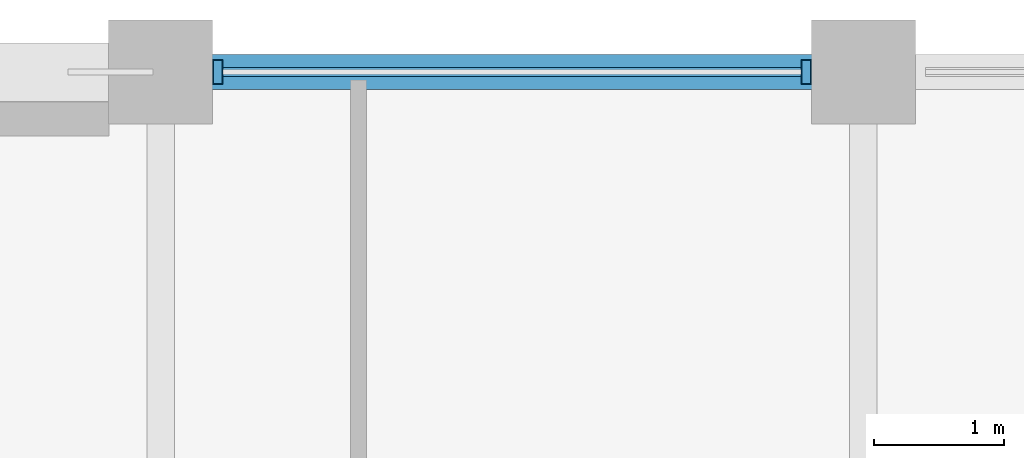
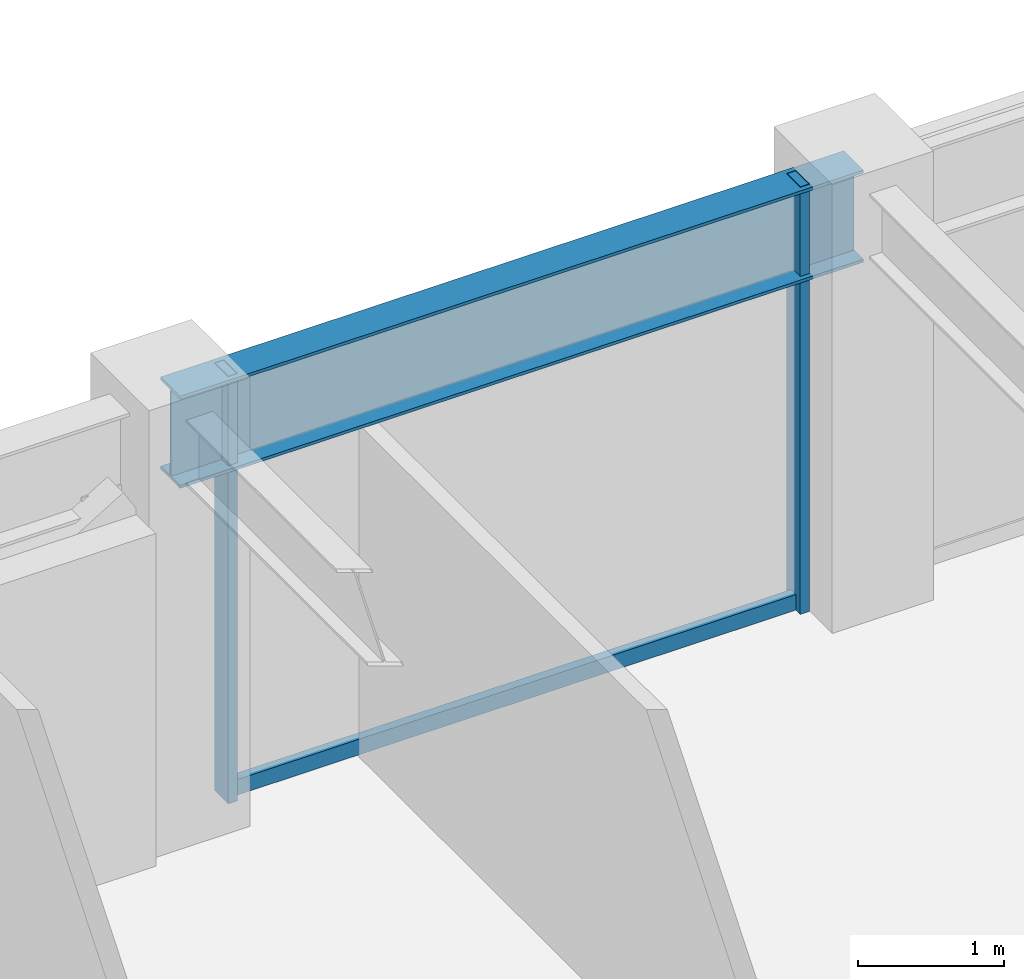
# One storey, part 23 of 32: 3 members, 1 beam, 1 element without a shape of its own.
"""IFC4 building model written with IfcOpenShell, lengths in metres."""

from ifc_helpers import new_model, si_unit, direction, frame, origin, origin_2d, place, context, subcontext, project, spatial, hollow_rectangle, i_section, extrude, material, layer, layer_set, material_profile, profile_set, type_object, element, aggregate, save


model = new_model("IFC4")

# Units and contexts
model_context = context("Model", 3, precision=1e-05, world=origin(), true_north=direction((0.0, 1.0)))
body_context = subcontext(model_context, "Body", "Model", "MODEL_VIEW")
ifc_project = project(units=[si_unit("LENGTHUNIT", "METRE"), si_unit("AREAUNIT", "SQUARE_METRE"), si_unit("VOLUMEUNIT", "CUBIC_METRE"), si_unit("PLANEANGLEUNIT", "RADIAN"), si_unit("MASSUNIT", "GRAM", prefix="KILO")], contexts=[model_context])

# Site, building, storey
site_placement = place(None, origin())
site = spatial("IfcSite", under=ifc_project, at=site_placement, CompositionType="ELEMENT")
building_placement = place(site_placement, origin())
building = spatial("IfcBuilding", under=site, at=building_placement, Name="Surkhivell Harbour Commons", CompositionType="ELEMENT")
storey_placement = place(building_placement, frame((0.0, 0.0, 219.75)))
storey = spatial("IfcBuildingStorey", under=building, at=storey_placement, Name="L57", CompositionType="ELEMENT", Elevation=219.75)

# Beam
ifc_material_1 = material(Name="Steel S355", Category="steel")
ifc_material_profile_1 = material_profile(ifc_material_1, i_section(OverallWidth=0.26806640625, OverallDepth=0.77001953125, WebThickness=0.015625, FlangeThickness=0.025390625, at=origin_2d()), Name="UB762x267x197")
ifc_profile_set_1 = profile_set([ifc_material_profile_1], Name="Steel S355")
beam_type = type_object("IfcBeamType", Name="BM-SPN-762", PredefinedType="SPANDREL", material=ifc_profile_set_1)
beam_placement = place(storey_placement, frame((5.39990234375, 25.89990234375, 3.18505859375), z_axis=(1.0, 0.0, 0.0), x_axis=(0.0, 1.0, 0.0)))
element("IfcBeam", 1, at=beam_placement, inside=storey, type_object=beam_type, Name="L57 Tube Spandrel (5.4,25.9)", PredefinedType="SPANDREL", context=body_context, shape_type="SweptSolid", body=[
    extrude(i_section(OverallWidth=0.26806640625, OverallDepth=0.77001953125, WebThickness=0.015625, FlangeThickness=0.025390625, at=origin_2d()), origin(), (0.0, 0.0, 1.0), 5.400146484375),
])

# Curtain wall, members
ifc_material_2 = material(Name="Anodised pale-metal aluminium and insulated glazing", Category="aluminium")
ifc_layer = layer(ifc_material_2, 0.18994140625)
ifc_layer_set = layer_set([ifc_layer], Name="Anodised pale-metal aluminium and insulated glazing")
curtain_wall_type = type_object("IfcCurtainWallType", Name="CW-SYS-Z3", PredefinedType="NOTDEFINED", material=ifc_layer_set)
curtain_wall_placement = place(storey_placement, origin())
curtain_wall = element("IfcCurtainWall", 2, at=curtain_wall_placement, inside=storey, type_object=curtain_wall_type, Name="L57 Curtain Wall CW-L57-E07S1", PredefinedType="NOTDEFINED")
ifc_material_3 = material(Name="Anodised pale-metal aluminium alloy 6063-T6", Category="aluminium")
ifc_material_profile_2 = material_profile(ifc_material_3, hollow_rectangle(XDim=0.074951171875, YDim=0.18994140625, WallThickness=0.00390625, at=origin_2d()), Name="ALU-MULL-75x190")
ifc_profile_set_2 = profile_set([ifc_material_profile_2], Name="Anodised pale-metal aluminium alloy 6063-T6")
member_type_1 = type_object("IfcMemberType", Name="CWM-190", PredefinedType="MULLION", material=ifc_profile_set_2)
member_1_placement = place(storey_placement, frame((10.360595703125, 25.89990234375, 0.0), z_axis=(0.0, 0.0, 1.0), x_axis=(-1.0, 0.0, 0.0)))
member_1 = element("IfcMember", 3, at=member_1_placement, type_object=member_type_1, Name="CW-Z3 mullion 2", PredefinedType="MULLION", context=body_context, shape_type="SweptSolid", body=[
    extrude(hollow_rectangle(XDim=0.074951171875, YDim=0.18994140625, WallThickness=0.00390625, at=origin_2d()), origin(), (0.0, 0.0, 1.0), 3.570068359375),
])
member_2_placement = place(storey_placement, frame((5.839599609375, 25.89990234375, 0.0), z_axis=(0.0, 0.0, 1.0), x_axis=(-1.0, 0.0, 0.0)))
member_2 = element("IfcMember", 4, at=member_2_placement, type_object=member_type_1, Name="CW-Z3 mullion 3", PredefinedType="MULLION", context=body_context, shape_type="SweptSolid", body=[
    extrude(hollow_rectangle(XDim=0.074951171875, YDim=0.18994140625, WallThickness=0.00390625, at=origin_2d()), origin(), (0.0, 0.0, 1.0), 3.570068359375),
])
ifc_material_4 = material(Name="Champagne anodised aluminium alloy 6063-T6", Category="aluminium")
ifc_material_profile_3 = material_profile(ifc_material_4, hollow_rectangle(XDim=0.070068359375, YDim=0.1298828125, WallThickness=0.00341796875, at=origin_2d()), Name="ALU-TRAN-70x130")
ifc_profile_set_3 = profile_set([ifc_material_profile_3], Name="Champagne anodised aluminium alloy 6063-T6")
member_type_2 = type_object("IfcMemberType", Name="CWT-130", PredefinedType="USERDEFINED", material=ifc_profile_set_3)
member_3_placement = place(storey_placement, frame((10.322998046875, 25.89990234375, 0.06494140625), z_axis=(-1.0, 0.0, 0.0), x_axis=(0.0, -1.0, 0.0)))
member_3 = element("IfcMember", 5, at=member_3_placement, type_object=member_type_2, Name="CW-Z3 transom 2.1", ObjectType="TRANSOM", PredefinedType="USERDEFINED", context=body_context, shape_type="SweptSolid", body=[
    extrude(hollow_rectangle(XDim=0.070068359375, YDim=0.1298828125, WallThickness=0.00341796875, at=origin_2d()), origin(), (0.0, 0.0, 1.0), 4.446044921875),
])
aggregate(curtain_wall, [member_1, member_2, member_3])

save(model, "model.ifc")
